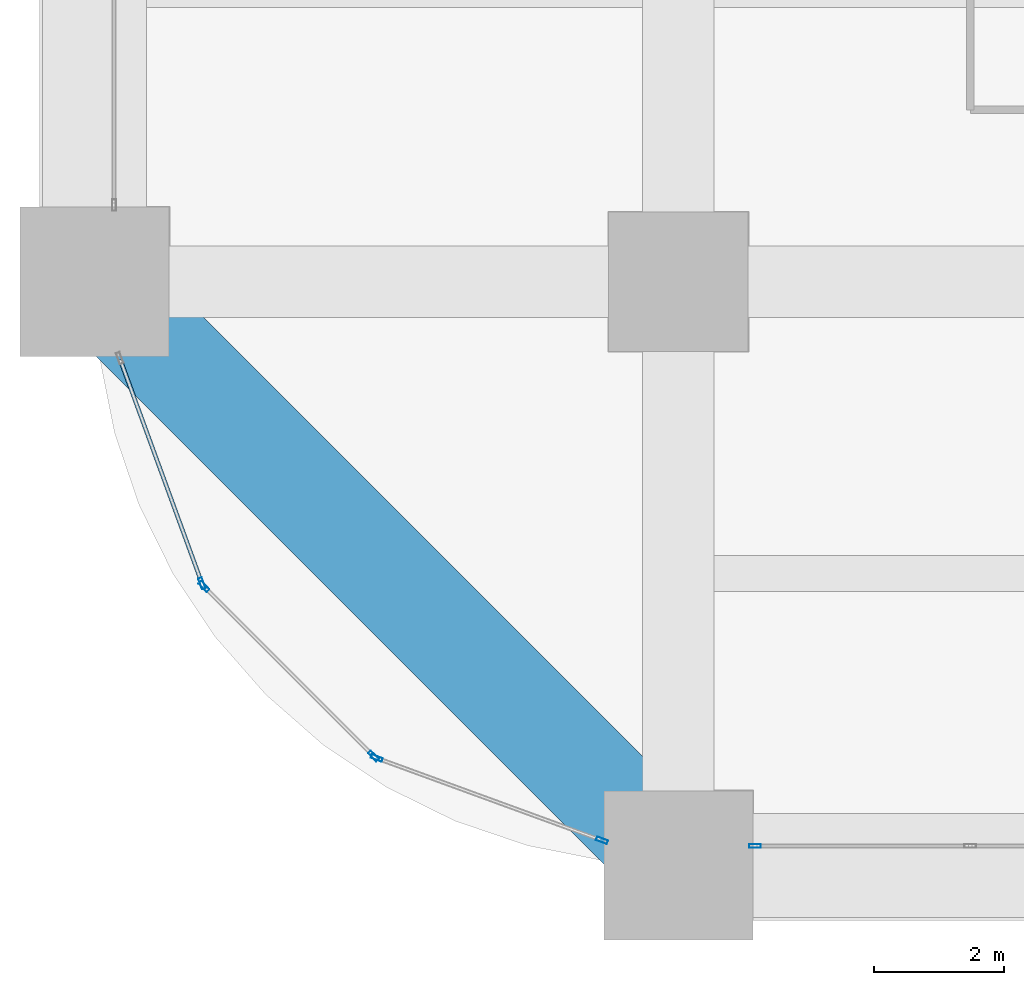
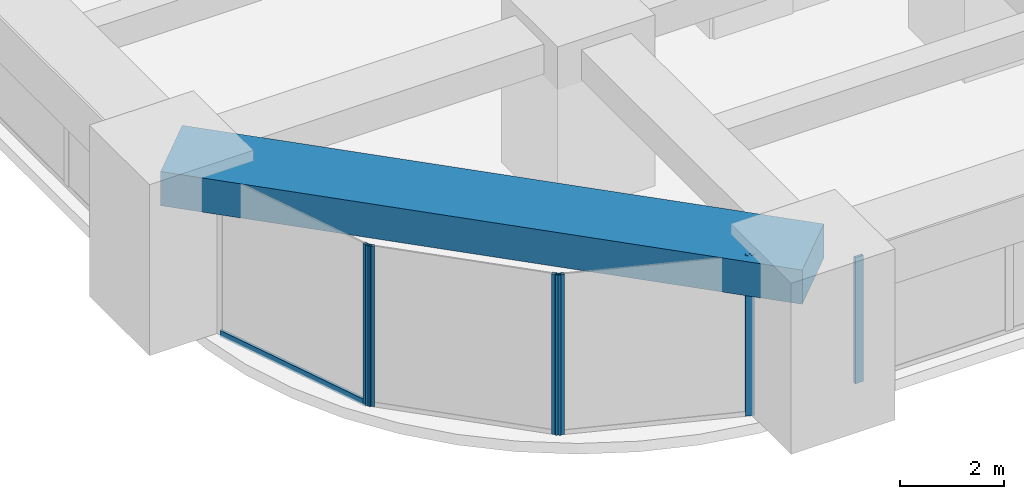
# One storey, part 2 of 44: 7 members, 1 beam, 4 elements without a shape of their own.
"""IFC4 building model written with IfcOpenShell, lengths in metres."""

from ifc_helpers import new_model, si_unit, direction, frame, origin, origin_2d, place, context, subcontext, project, spatial, rectangle, hollow_rectangle, extrude, material, material_profile, profile_set, type_object, element, aggregate, save


model = new_model("IFC4")

# Units and contexts
model_context = context("Model", 3, precision=1e-05, world=origin(), true_north=direction((0.0, 1.0)))
body_context = subcontext(model_context, "Body", "Model", "MODEL_VIEW")
ifc_project = project(units=[si_unit("LENGTHUNIT", "METRE"), si_unit("AREAUNIT", "SQUARE_METRE"), si_unit("VOLUMEUNIT", "CUBIC_METRE"), si_unit("PLANEANGLEUNIT", "RADIAN"), si_unit("MASSUNIT", "GRAM", prefix="KILO")], contexts=[model_context])

# Site, building, storey
site_placement = place(None, origin())
site = spatial("IfcSite", under=ifc_project, at=site_placement, CompositionType="ELEMENT")
building_placement = place(site_placement, origin())
building = spatial("IfcBuilding", under=site, at=building_placement, Name="Zorevar Civic Tower", CompositionType="ELEMENT")
storey_placement = place(building_placement, frame((0.0, 0.0, 63.800048828125)))
storey = spatial("IfcBuildingStorey", under=building, at=storey_placement, Name="L15", CompositionType="ELEMENT", Elevation=63.800048828125)

# Curtain wall, member
ifc_material_1 = material(Name="Dark grey solar-control glass in black aluminium frame", Category="aluminium")
curtain_wall_type = type_object("IfcCurtainWallType", Name="Curtain wall CW2 low zone", PredefinedType="NOTDEFINED", material=ifc_material_1)
curtain_wall_1_placement = place(storey_placement, origin())
curtain_wall_1 = element("IfcCurtainWall", 1, at=curtain_wall_1_placement, inside=storey, type_object=curtain_wall_type, Name="CW2 L15", PredefinedType="NOTDEFINED")
ifc_material_2 = material(Name="Aluminium, black anodised", Category="aluminium")
ifc_material_profile_1 = material_profile(ifc_material_2, hollow_rectangle(XDim=0.06005859375, YDim=0.179931640625, WallThickness=0.00390625, at=origin_2d()), Name="AL 180x60x4")
ifc_profile_set_1 = profile_set([ifc_material_profile_1], Name="Aluminium, black anodised")
member_type_1 = type_object("IfcMemberType", Name="CW2 mullion AL 180x60x4", PredefinedType="MULLION", material=ifc_profile_set_1)
member_1_placement = place(storey_placement, frame((10.179931640625, 0.300048828125, 0.0), z_axis=(0.0, 0.0, 1.0), x_axis=(0.0, 1.0, 0.0)))
member_1 = element("IfcMember", 2, at=member_1_placement, type_object=member_type_1, Name="CW2 mullion 1", PredefinedType="MULLION", context=body_context, shape_type="SweptSolid", body=[
    extrude(hollow_rectangle(XDim=0.06005859375, YDim=0.179931640625, WallThickness=0.00390625, at=origin_2d()), origin(), (0.0, 0.0, 1.0), 2.949951171875),
])
aggregate(curtain_wall_1, [member_1])

curtain_wall_2_placement = place(storey_placement, origin())
curtain_wall_2 = element("IfcCurtainWall", 3, at=curtain_wall_2_placement, inside=storey, type_object=curtain_wall_type, Name="CW2 L15", PredefinedType="NOTDEFINED")
member_2_placement = place(storey_placement, frame((1.65478515625, 4.349609375, 0.0), z_axis=(0.0, 0.0, 1.0), x_axis=(0.939313345732, 0.343060400701, 0.0)))
member_2 = element("IfcMember", 4, at=member_2_placement, type_object=member_type_1, Name="CW2 mullion 2", PredefinedType="MULLION", context=body_context, shape_type="SweptSolid", body=[
    extrude(hollow_rectangle(XDim=0.06005859375, YDim=0.179931640625, WallThickness=0.00390625, at=origin_2d()), origin(), (0.0, 0.0, 1.0), 3.75),
])

# Curtain wall, members
curtain_wall_3_placement = place(storey_placement, origin())
curtain_wall_3 = element("IfcCurtainWall", 5, at=curtain_wall_3_placement, inside=storey, type_object=curtain_wall_type, Name="CW2 L15", PredefinedType="NOTDEFINED")
member_3_placement = place(storey_placement, frame((1.686279296875, 4.30029296875, 0.0), z_axis=(0.0, 0.0, 1.0), x_axis=(0.707106781187, 0.707106781187, 0.0)))
member_3 = element("IfcMember", 6, at=member_3_placement, type_object=member_type_1, Name="CW2 mullion 1", PredefinedType="MULLION", context=body_context, shape_type="SweptSolid", body=[
    extrude(hollow_rectangle(XDim=0.06005859375, YDim=0.179931640625, WallThickness=0.00390625, at=origin_2d()), origin(), (0.0, 0.0, 1.0), 3.75),
])
member_4_placement = place(storey_placement, frame((4.30029296875, 1.686279296875, 0.0), z_axis=(0.0, 0.0, 1.0), x_axis=(0.707106781187, 0.707106781187, 0.0)))
member_4 = element("IfcMember", 7, at=member_4_placement, type_object=member_type_1, Name="CW2 mullion 2", PredefinedType="MULLION", context=body_context, shape_type="SweptSolid", body=[
    extrude(hollow_rectangle(XDim=0.06005859375, YDim=0.179931640625, WallThickness=0.00390625, at=origin_2d()), origin(), (0.0, 0.0, 1.0), 3.75),
])
aggregate(curtain_wall_3, [member_3, member_4])

curtain_wall_4_placement = place(storey_placement, origin())
curtain_wall_4 = element("IfcCurtainWall", 8, at=curtain_wall_4_placement, inside=storey, type_object=curtain_wall_type, Name="CW2 L15", PredefinedType="NOTDEFINED")
member_5_placement = place(storey_placement, frame((4.349609375, 1.65478515625, 0.0), z_axis=(0.0, 0.0, 1.0), x_axis=(0.343060400701, 0.939313345732, 0.0)))
member_5 = element("IfcMember", 9, at=member_5_placement, type_object=member_type_1, Name="CW2 mullion 1", PredefinedType="MULLION", context=body_context, shape_type="SweptSolid", body=[
    extrude(hollow_rectangle(XDim=0.06005859375, YDim=0.179931640625, WallThickness=0.00390625, at=origin_2d()), origin(), (0.0, 0.0, 1.0), 3.75),
])
member_6_placement = place(storey_placement, frame((7.82177734375, 0.38671875, 0.0), z_axis=(0.0, 0.0, 1.0), x_axis=(0.343060400701, 0.939313345732, 0.0)))
member_6 = element("IfcMember", 10, at=member_6_placement, type_object=member_type_1, Name="CW2 mullion 2", PredefinedType="MULLION", context=body_context, shape_type="SweptSolid", body=[
    extrude(hollow_rectangle(XDim=0.06005859375, YDim=0.179931640625, WallThickness=0.00390625, at=origin_2d()), origin(), (0.0, 0.0, 1.0), 3.75),
])
aggregate(curtain_wall_4, [member_5, member_6])

# Member
ifc_material_3 = material(Name="Aluminium, black anodised", Category="aluminium")
ifc_material_profile_2 = material_profile(ifc_material_3, hollow_rectangle(XDim=0.06005859375, YDim=0.14990234375, WallThickness=0.00390625, at=origin_2d()), Name="AL 150x60x4")
ifc_profile_set_2 = profile_set([ifc_material_profile_2], Name="Aluminium, black anodised")
member_type_2 = type_object("IfcMemberType", Name="CW2 transom AL 150x60x4", PredefinedType="USERDEFINED", material=ifc_profile_set_2)
member_7_placement = place(storey_placement, frame((0.39697265625, 7.793701171875, 0.030029296875), z_axis=(0.343047162808, -0.939318180432, 0.0), x_axis=(0.939318180432, 0.343047162808, 0.0)))
member_7 = element("IfcMember", 11, at=member_7_placement, type_object=member_type_2, Name="CW2 sill transom", ObjectType="TRANSOM", PredefinedType="USERDEFINED", context=body_context, shape_type="SweptSolid", body=[
    extrude(hollow_rectangle(XDim=0.06005859375, YDim=0.14990234375, WallThickness=0.00390625, at=origin_2d()), origin(), (0.0, 0.0, 1.0), 3.63671875),
])

aggregate(curtain_wall_2, [member_2, member_7])

# Beam
ifc_material_4 = material(Name="Concrete C50/60", Category="concrete")
ifc_material_profile_3 = material_profile(ifc_material_4, rectangle(XDim=1.60009765625, YDim=0.800048828125, at=origin_2d()), Name="RC 1600x800")
ifc_profile_set_3 = profile_set([ifc_material_profile_3], Name="Concrete C50/60")
beam_type = type_object("IfcBeamType", Name="Edge beam RC 1600x800", PredefinedType="SPANDREL", material=ifc_profile_set_3)
beam_placement = place(storey_placement, frame((0.0, 9.0, 3.349853515625), z_axis=(0.707106781187, -0.707106781187, 0.0), x_axis=(0.707106781187, 0.707106781187, 0.0)))
element("IfcBeam", 12, at=beam_placement, inside=storey, type_object=beam_type, Name="Corner edge beam L16", PredefinedType="SPANDREL", context=body_context, shape_type="SweptSolid", body=[
    extrude(rectangle(XDim=1.60009765625, YDim=0.800048828125, at=origin_2d()), origin(), (0.0, 0.0, 1.0), 12.72802734375),
])

save(model, "model.ifc")
